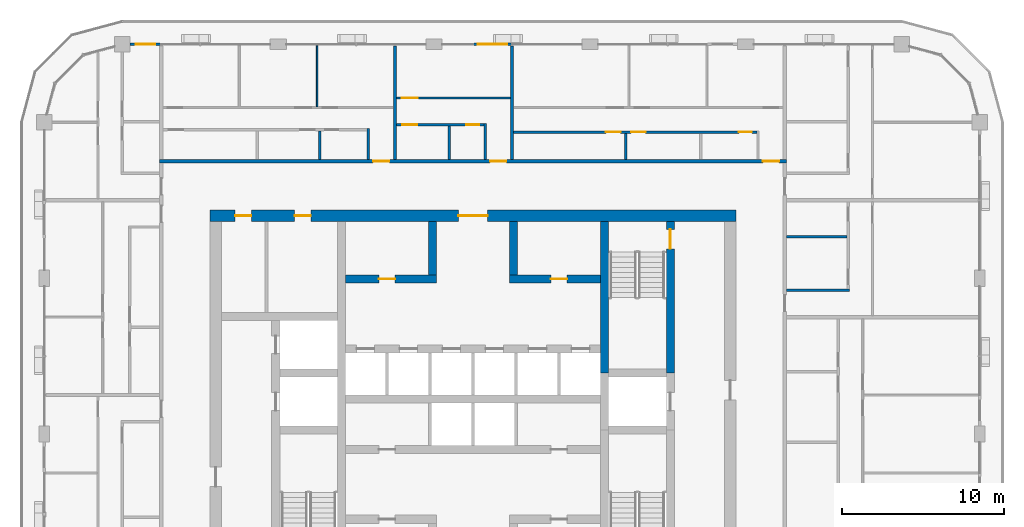
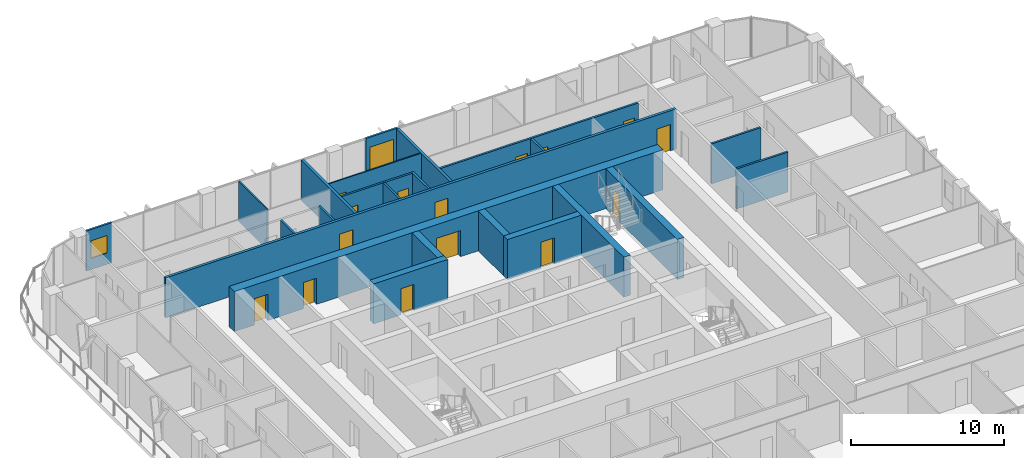
# One storey, part 14 of 21: 23 walls, 16 doors, 1 window, 17 openings.
"""IFC4 building model written with IfcOpenShell, lengths in metres."""

import ifcopenshell
import ifcopenshell.guid

model = None  # the IFC model being written
_history = None  # IfcOwnerHistory: only IFC2X3 demands one
_inside = {}  # id of a spatial element -> (the spatial element, [elements in it])
_under = {}  # id of a project, library or spatial element -> (it, [spatial elements below it])
_declared = {}  # id of a project -> (the project, [libraries it declares])
_typed = {}  # id of a type object -> (the type object, [elements of that type])
_made_of = {}  # id of a material, layer set ... -> (it, [elements and type objects made of it])


def new_model(schema):
    """Start an empty IFC model of exactly this schema.

    Asked for "IFC4X3", IfcOpenShell would pick the latest addendum, in which some entities
    have other attributes; the version numbers below select the first issue.
    IFC2X3 requires an IfcOwnerHistory on every rooted entity: one is made here for all.
    """
    global model, _history
    if schema == "IFC4X3":
        model = ifcopenshell.file(schema_version=(4, 3, 0, 0))
    else:
        model = ifcopenshell.file(schema=schema)
    _inside.clear()
    _under.clear()
    _declared.clear()
    _typed.clear()
    _made_of.clear()
    _history = None
    if model.schema == "IFC2X3":
        org = make("IfcOrganization", Name="unknown")
        user = make(
            "IfcPersonAndOrganization",
            ThePerson=make("IfcPerson", FamilyName="unknown"),
            TheOrganization=org,
        )
        app = make(
            "IfcApplication",
            ApplicationDeveloper=org,
            Version="unknown",
            ApplicationFullName="unknown",
            ApplicationIdentifier="unknown",
        )
        _history = make(
            "IfcOwnerHistory",
            OwningUser=user,
            OwningApplication=app,
            ChangeAction="ADDED",
            CreationDate=0,
        )
    return model


def make(cls, **values):
    """One entity of the class cls with the attributes given. An attribute that is None is left unset."""
    return model.create_entity(
        cls, **{name: value for name, value in values.items() if value is not None}
    )


def rooted(cls, **values):
    """An entity with a GlobalId (a new one), such as an element, a storey or a relation."""
    return make(cls, GlobalId=ifcopenshell.guid.new(), OwnerHistory=_history, **values)


def si_unit(unit_type, name, prefix=None):
    """IfcSIUnit, for example si_unit("LENGTHUNIT", "METRE", prefix="MILLI")."""
    return make("IfcSIUnit", UnitType=unit_type, Prefix=prefix, Name=name)


def assignment(units):
    """IfcUnitAssignment: the units of a project."""
    return None if units is None else make("IfcUnitAssignment", Units=units)


def point(xyz):
    """IfcCartesianPoint."""
    return None if xyz is None else make("IfcCartesianPoint", Coordinates=xyz)


def direction(xyz):
    """IfcDirection."""
    return None if xyz is None else make("IfcDirection", DirectionRatios=xyz)


def frame(location, z_axis=None, x_axis=None):
    """IfcAxis2Placement3D, a coordinate frame: its origin and axes. An axis left out is left unset."""
    return make(
        "IfcAxis2Placement3D",
        Location=point(location),
        Axis=direction(z_axis),
        RefDirection=direction(x_axis),
    )


def frame_2d(location, x_axis=None):
    """IfcAxis2Placement2D, a coordinate frame in the plane: its origin and x axis."""
    return make(
        "IfcAxis2Placement2D", Location=point(location), RefDirection=direction(x_axis)
    )


def origin():
    """The frame at (0, 0, 0) with its axes left unset."""
    return frame((0.0, 0.0, 0.0))


def place(relative_to, where):
    """IfcLocalPlacement: puts the frame where relative to a parent placement (None: the world)."""
    return make(
        "IfcLocalPlacement", PlacementRelTo=relative_to, RelativePlacement=where
    )


def context(
    kind, dimensions, precision=None, world=None, true_north=None, identifier=None
):
    """IfcGeometricRepresentationContext, for example the 3D "Model" context."""
    return make(
        "IfcGeometricRepresentationContext",
        ContextIdentifier=identifier,
        ContextType=kind,
        CoordinateSpaceDimension=dimensions,
        Precision=precision,
        WorldCoordinateSystem=world,
        TrueNorth=true_north,
    )


def subcontext(parent, identifier, kind, view, scale=None):
    """IfcGeometricRepresentationSubContext, for example "Body" below "Model"."""
    return make(
        "IfcGeometricRepresentationSubContext",
        ContextIdentifier=identifier,
        ContextType=kind,
        ParentContext=parent,
        TargetScale=scale,
        TargetView=view,
    )


def project(units=None, contexts=None):
    """IfcProject with its units and contexts."""
    return rooted(
        "IfcProject",
        Name="project",
        RepresentationContexts=contexts,
        UnitsInContext=assignment(units),
    )


def spatial(cls, under=None, at=None, **own):
    """A site, building, storey or space (cls), placed at a placement, below another one or the project."""
    s = rooted(cls, ObjectPlacement=at, **own)
    if under is not None:
        _under.setdefault(under.id(), (under, []))[1].append(s)
    return s


def profile(cls, at=None, kind="AREA", **sizes):
    """A parametric profile (cls). Its sizes go by their IFC names, for example OverallWidth=200.0."""
    return make(cls, ProfileType=kind, Position=at, **sizes)


def rectangle(**sizes):
    """IfcRectangleProfileDef."""
    return profile("IfcRectangleProfileDef", **sizes)


def extrude(swept, where, along, depth):
    """IfcExtrudedAreaSolid: the profile swept, set in the frame where, extruded along a direction by depth."""
    return make(
        "IfcExtrudedAreaSolid",
        SweptArea=swept,
        Position=where,
        ExtrudedDirection=direction(along),
        Depth=depth,
    )


def shape(context_of_items, identifier, shape_type, items):
    """IfcShapeRepresentation: the items that make up one representation, for example the "Body"."""
    return make(
        "IfcShapeRepresentation",
        ContextOfItems=context_of_items,
        RepresentationIdentifier=identifier,
        RepresentationType=shape_type,
        Items=items,
    )


def material(Name=None, Category=None):
    """IfcMaterial."""
    return make("IfcMaterial", Name=Name, Category=Category)


def layer(
    of_material, thickness, ventilated=None, Name=None, Category=None, Priority=None
):
    """IfcMaterialLayer: one layer of a wall or slab, of a material (None: an air gap)."""
    return make(
        "IfcMaterialLayer",
        Material=of_material,
        LayerThickness=thickness,
        IsVentilated=ventilated,
        Name=Name,
        Category=Category,
        Priority=Priority,
    )


def layer_set(layers, Name=None):
    """IfcMaterialLayerSet."""
    return make("IfcMaterialLayerSet", MaterialLayers=layers, LayerSetName=Name)


def made_of(thing, what):
    """Note that an element or type object is made of a material, layer set ...; save() writes the relation."""
    if what is not None:
        _made_of.setdefault(what.id(), (what, []))[1].append(thing)
    return thing


def type_object(cls, material=None, **own):
    """A type object (cls), such as IfcWallType, which elements share."""
    return made_of(rooted(cls, **own), material)


def element(
    cls,
    number,
    at=None,
    inside=None,
    cuts=None,
    type_object=None,
    material=None,
    context=None,
    identifier="Body",
    shape_type=None,
    held_by="IfcProductDefinitionShape",
    body=None,
    shapes=None,
    **own,
):
    """One element of the class cls, such as IfcWall. Its Tag is "e" and its number.

    at: its placement. inside: the storey or other place that contains it. cuts: it is an
    opening in that element (IfcRelVoidsElement). A single representation is given by context,
    identifier, shape_type and body (its items); several are given by shapes. held_by: the class
    of the entity that holds the representations. save() writes the other relations.
    """
    e = rooted(cls, Tag="e%d" % number, ObjectPlacement=at, **own)
    if body is not None:
        shapes = [shape(context, identifier, shape_type, body)]
    if shapes is not None:
        e.Representation = make(held_by, Representations=shapes)
    if inside is not None:
        _inside.setdefault(inside.id(), (inside, []))[1].append(e)
    if cuts is not None:
        rooted(
            "IfcRelVoidsElement", RelatingBuildingElement=cuts, RelatedOpeningElement=e
        )
    if type_object is not None:
        _typed.setdefault(type_object.id(), (type_object, []))[1].append(e)
    return made_of(e, material)


def fill(opening, filler):
    """IfcRelFillsElement: the door or window that sits in an opening."""
    return rooted(
        "IfcRelFillsElement",
        RelatingOpeningElement=opening,
        RelatedBuildingElement=filler,
    )


def aggregate(whole, parts):
    """IfcRelAggregates: a whole, such as a stair, and the parts it consists of."""
    return rooted("IfcRelAggregates", RelatingObject=whole, RelatedObjects=parts)


def save(model, path):
    """Write the relations noted so far, then the file.

    IfcRelAggregates (storeys below a building ...), IfcRelContainedInSpatialStructure (elements
    in a storey), IfcRelDefinesByType, IfcRelAssociatesMaterial and IfcRelDeclares: one each for
    every whole, place, type object, material and project.
    """
    for whole, parts in _under.values():
        aggregate(whole, parts)
    for where, things in _inside.values():
        rooted(
            "IfcRelContainedInSpatialStructure",
            RelatedElements=things,
            RelatingStructure=where,
        )
    for kind, things in _typed.values():
        rooted("IfcRelDefinesByType", RelatedObjects=things, RelatingType=kind)
    for what, things in _made_of.values():
        rooted("IfcRelAssociatesMaterial", RelatedObjects=things, RelatingMaterial=what)
    for by, libraries in _declared.values():
        rooted("IfcRelDeclares", RelatingContext=by, RelatedDefinitions=libraries)
    model.write(path)


model = new_model("IFC4")

# Units and contexts
model_context = context("Model", 3, precision=1e-05, world=origin(), true_north=direction((0.0, 1.0)))
body_context = subcontext(model_context, "Body", "Model", "MODEL_VIEW")
ifc_project = project(units=[si_unit("LENGTHUNIT", "METRE"), si_unit("AREAUNIT", "SQUARE_METRE"), si_unit("VOLUMEUNIT", "CUBIC_METRE"), si_unit("PLANEANGLEUNIT", "RADIAN"), si_unit("MASSUNIT", "GRAM", prefix="KILO")], contexts=[model_context])

# Site, building, storey
site_placement = place(None, origin())
site = spatial("IfcSite", under=ifc_project, at=site_placement, CompositionType="ELEMENT")
building_placement = place(site_placement, origin())
building = spatial("IfcBuilding", under=site, at=building_placement, Name="Madar Terraces", CompositionType="ELEMENT")
storey_placement = place(building_placement, frame((0.0, 0.0, 185.89990234375)))
storey = spatial("IfcBuildingStorey", under=building, at=storey_placement, Name="L48", CompositionType="ELEMENT", Elevation=185.89990234375)

# Wall
ifc_material_1 = material(Name="Concrete C60/75", Category="concrete")
ifc_layer_1 = layer(ifc_material_1, 0.5)
ifc_layer_set_1 = layer_set([ifc_layer_1], Name="Concrete C60/75 (CIW4 RC wall 500)")
wall_type_1 = type_object("IfcWallType", Name="CIW4 RC wall 500", PredefinedType="SHEAR", material=ifc_layer_set_1)
wall_1_placement = place(storey_placement, frame((39.300048828125, 27.75, 0.0), z_axis=(0.0, 0.0, 1.0), x_axis=(0.0, 1.0, 0.0)))
element("IfcWall", 1, at=wall_1_placement, inside=storey, type_object=wall_type_1, Name="CORE SHAFT WALL", PredefinedType="SHEAR", context=body_context, shape_type="SweptSolid", body=[
    extrude(rectangle(XDim=9.35009765625, YDim=0.5, at=frame_2d((4.675048828125, 0.0))), origin(), (0.0, 0.0, 1.0), 3.2001953125),
])

# Wall, opening, door
wall_2_placement = place(storey_placement, frame((43.35009765625, 27.75, 0.0), z_axis=(0.0, 0.0, 1.0), x_axis=(0.0, 1.0, 0.0)))
wall_2 = element("IfcWall", 2, at=wall_2_placement, inside=storey, type_object=wall_type_1, Name="CORE SHAFT WALL", PredefinedType="SHEAR", context=body_context, shape_type="SweptSolid", body=[
    extrude(rectangle(XDim=9.35009765625, YDim=0.5, at=frame_2d((4.675048828125, 0.0))), origin(), (0.0, 0.0, 1.0), 3.2001953125),
])
opening_1_placement = place(wall_2_placement, frame((7.64990234375, 0.0, 0.0)))
opening_1 = element("IfcOpeningElement", 3, at=opening_1_placement, cuts=wall_2, Name="Opening SD1", PredefinedType="OPENING", context=body_context, shape_type="SweptSolid", body=[
    extrude(rectangle(XDim=1.199951171875, YDim=2.10009765625, at=frame_2d((0.60009765625, 1.050048828125))), frame((0.0, 0.260009765625, 0.0), z_axis=(0.0, -1.0, 0.0), x_axis=(1.0, 0.0, 0.0)), (0.0, 0.0, 1.0), 0.52001953125),
])
ifc_material_2 = material(Name="Steel door leaf", Category="steel")
door_type_1 = type_object("IfcDoorType", Name="Stair door 1200 x 2100", OperationType="NOTDEFINED", PredefinedType="DOOR", material=ifc_material_2)
door_1_placement = place(opening_1_placement, origin())
door_1 = element("IfcDoor", 4, at=door_1_placement, inside=storey, type_object=door_type_1, Name="STAIR DOOR", OperationType="SINGLE_SWING_RIGHT", OverallHeight=2.10009765625, OverallWidth=1.199951171875, PredefinedType="DOOR", context=body_context, shape_type="SweptSolid", body=[
    extrude(rectangle(XDim=1.199951171875, YDim=2.10009765625, at=frame_2d((0.60009765625, 1.050048828125))), frame((0.0, 0.02490234375, 0.0), z_axis=(0.0, -1.0, 0.0), x_axis=(1.0, 0.0, 0.0)), (0.0, 0.0, 1.0), 0.050048828125),
])
fill(opening_1, door_1)

wall_3_placement = place(storey_placement, frame((23.35009765625, 33.550048828125, 0.0), z_axis=(0.0, 0.0, 1.0), x_axis=(1.0, 0.0, 0.0)))
wall_3 = element("IfcWall", 5, at=wall_3_placement, inside=storey, type_object=wall_type_1, Name="CORE SHAFT WALL", PredefinedType="SHEAR", context=body_context, shape_type="SweptSolid", body=[
    extrude(rectangle(XDim=5.599853515625, YDim=0.5, at=frame_2d((2.7998046875, 0.0))), origin(), (0.0, 0.0, 1.0), 3.2001953125),
])
opening_2_placement = place(wall_3_placement, frame((2.050048828125, 0.0, 0.0)))
opening_2 = element("IfcOpeningElement", 6, at=opening_2_placement, cuts=wall_3, Name="Opening KD2", PredefinedType="OPENING", context=body_context, shape_type="SweptSolid", body=[
    extrude(rectangle(XDim=1.0, YDim=2.10009765625, at=frame_2d((0.5, 1.050048828125))), frame((0.0, 0.260009765625, 0.0), z_axis=(0.0, -1.0, 0.0), x_axis=(1.0, 0.0, 0.0)), (0.0, 0.0, 1.0), 0.52001953125),
])
ifc_material_3 = material(Name="Steel door leaf", Category="steel")
door_type_2 = type_object("IfcDoorType", Name="Service room door 1000 x 2100", OperationType="NOTDEFINED", PredefinedType="DOOR", material=ifc_material_3)
door_2_placement = place(opening_2_placement, frame((1.0, 0.0, 0.0), z_axis=(0.0, 0.0, 1.0), x_axis=(-1.0, 0.0, 0.0)))
door_2 = element("IfcDoor", 7, at=door_2_placement, inside=storey, type_object=door_type_2, Name="SERVICE ROOM DOOR", OperationType="SINGLE_SWING_LEFT", OverallHeight=2.10009765625, OverallWidth=1.0, PredefinedType="DOOR", context=body_context, shape_type="SweptSolid", body=[
    extrude(rectangle(XDim=1.0, YDim=2.10009765625, at=frame_2d((0.5, 1.050048828125))), frame((0.0, 0.02490234375, 0.0), z_axis=(0.0, -1.0, 0.0), x_axis=(1.0, 0.0, 0.0)), (0.0, 0.0, 1.0), 0.050048828125),
])
fill(opening_2, door_2)

wall_4_placement = place(storey_placement, frame((33.449951171875, 33.550048828125, 0.0), z_axis=(0.0, 0.0, 1.0), x_axis=(1.0, 0.0, 0.0)))
wall_4 = element("IfcWall", 8, at=wall_4_placement, inside=storey, type_object=wall_type_1, Name="CORE SHAFT WALL", PredefinedType="SHEAR", context=body_context, shape_type="SweptSolid", body=[
    extrude(rectangle(XDim=5.60009765625, YDim=0.5, at=frame_2d((2.800048828125, 0.0))), origin(), (0.0, 0.0, 1.0), 3.2001953125),
])
opening_3_placement = place(wall_4_placement, frame((2.550048828125, 0.0, 0.0)))
opening_3 = element("IfcOpeningElement", 9, at=opening_3_placement, cuts=wall_4, Name="Opening KD2", PredefinedType="OPENING", context=body_context, shape_type="SweptSolid", body=[
    extrude(rectangle(XDim=1.0, YDim=2.10009765625, at=frame_2d((0.5, 1.050048828125))), frame((0.0, 0.260009765625, 0.0), z_axis=(0.0, -1.0, 0.0), x_axis=(1.0, 0.0, 0.0)), (0.0, 0.0, 1.0), 0.52001953125),
])
door_3_placement = place(opening_3_placement, frame((1.0, 0.0, 0.0), z_axis=(0.0, 0.0, 1.0), x_axis=(-1.0, 0.0, 0.0)))
door_3 = element("IfcDoor", 10, at=door_3_placement, inside=storey, type_object=door_type_2, Name="SERVICE ROOM DOOR", OperationType="SINGLE_SWING_RIGHT", OverallHeight=2.10009765625, OverallWidth=1.0, PredefinedType="DOOR", context=body_context, shape_type="SweptSolid", body=[
    extrude(rectangle(XDim=1.0, YDim=2.10009765625, at=frame_2d((0.5, 1.050048828125))), frame((0.0, 0.02490234375, 0.0), z_axis=(0.0, -1.0, 0.0), x_axis=(1.0, 0.0, 0.0)), (0.0, 0.0, 1.0), 0.050048828125),
])
fill(opening_3, door_3)

# Walls
for number, where, z_axis, x_axis, name in (
    (11, (28.699951171875, 33.800048828125, 0.0), (0.0, 0.0, 1.0), (0.0, 1.0, 0.0), "CORE SHAFT WALL"),
    (12, (33.699951171875, 33.800048828125, 0.0), (0.0, 0.0, 1.0), (0.0, 1.0, 0.0), "CORE SHAFT WALL"),
):
    element("IfcWall", number, at=place(storey_placement, frame(where, z_axis=z_axis, x_axis=x_axis)), inside=storey, type_object=wall_type_1, Name=name, PredefinedType="SHEAR", context=body_context, shape_type="SweptSolid", body=[
        extrude(rectangle(XDim=3.300048828125, YDim=0.5, at=frame_2d((1.64990234375, 0.0))), origin(), (0.0, 0.0, 1.0), 3.2001953125),
    ])

# Wall, openings, doors
ifc_material_4 = material(Name="Concrete C60/75", Category="concrete")
ifc_layer_2 = layer(ifc_material_4, 0.699951171875)
ifc_layer_set_2 = layer_set([ifc_layer_2], Name="Concrete C60/75 (CRW4 RC wall 700)")
wall_type_2 = type_object("IfcWallType", Name="CRW4 RC wall 700", PredefinedType="SHEAR", material=ifc_layer_set_2)
wall_5_placement = place(storey_placement, frame((15.0, 37.449951171875, 0.0), z_axis=(0.0, 0.0, 1.0), x_axis=(1.0, 0.0, 0.0)))
wall_5 = element("IfcWall", 13, at=wall_5_placement, inside=storey, type_object=wall_type_2, Name="CORE OUTER WALL", PredefinedType="SHEAR", context=body_context, shape_type="SweptSolid", body=[
    extrude(rectangle(XDim=32.39990234375, YDim=0.699951171875, at=frame_2d((16.199951171875, 0.0))), origin(), (0.0, 0.0, 1.0), 3.2001953125),
])
opening_4_placement = place(wall_5_placement, frame((15.300048828125, 0.0, 0.0)))
opening_4 = element("IfcOpeningElement", 14, at=opening_4_placement, cuts=wall_5, Name="Opening KD1", PredefinedType="OPENING", context=body_context, shape_type="SweptSolid", body=[
    extrude(rectangle(XDim=1.800048828125, YDim=2.10009765625, at=frame_2d((0.89990234375, 1.050048828125))), frame((0.0, 0.35986328125, 0.0), z_axis=(0.0, -1.0, 0.0), x_axis=(1.0, 0.0, 0.0)), (0.0, 0.0, 1.0), 0.719970703125),
])
opening_5_placement = place(wall_5_placement, frame((1.544189453125, 0.0, 0.0)))
opening_5 = element("IfcOpeningElement", 15, at=opening_5_placement, cuts=wall_5, Name="Opening KD2", PredefinedType="OPENING", context=body_context, shape_type="SweptSolid", body=[
    extrude(rectangle(XDim=1.0, YDim=2.10009765625, at=frame_2d((0.5, 1.050048828125))), frame((0.0, 0.35986328125, 0.0), z_axis=(0.0, -1.0, 0.0), x_axis=(1.0, 0.0, 0.0)), (0.0, 0.0, 1.0), 0.719970703125),
])
opening_6_placement = place(wall_5_placement, frame((5.21923828125, 0.0, 0.0)))
opening_6 = element("IfcOpeningElement", 16, at=opening_6_placement, cuts=wall_5, Name="Opening KD2", PredefinedType="OPENING", context=body_context, shape_type="SweptSolid", body=[
    extrude(rectangle(XDim=1.0, YDim=2.10009765625, at=frame_2d((0.5, 1.050048828125))), frame((0.0, 0.35986328125, 0.0), z_axis=(0.0, -1.0, 0.0), x_axis=(1.0, 0.0, 0.0)), (0.0, 0.0, 1.0), 0.719970703125),
])
ifc_material_5 = material(Name="Steel door leaf", Category="steel")
door_type_3 = type_object("IfcDoorType", Name="Lobby door pair 1800 x 2100", OperationType="DOUBLE_DOOR_SINGLE_SWING", PredefinedType="DOOR", material=ifc_material_5)
door_4_placement = place(opening_4_placement, origin())
door_4 = element("IfcDoor", 17, at=door_4_placement, inside=storey, type_object=door_type_3, Name="LIFT LOBBY DOOR", OperationType="DOUBLE_DOOR_SINGLE_SWING", OverallHeight=2.10009765625, OverallWidth=1.800048828125, PredefinedType="DOOR", context=body_context, shape_type="SweptSolid", body=[
    extrude(rectangle(XDim=1.800048828125, YDim=2.10009765625, at=frame_2d((0.89990234375, 1.050048828125))), frame((0.0, 0.02490234375, 0.0), z_axis=(0.0, -1.0, 0.0), x_axis=(1.0, 0.0, 0.0)), (0.0, 0.0, 1.0), 0.050048828125),
])
fill(opening_4, door_4)
door_5_placement = place(opening_5_placement, origin())
door_5 = element("IfcDoor", 18, at=door_5_placement, inside=storey, type_object=door_type_2, Name="SERVICE ROOM DOOR", OperationType="SINGLE_SWING_LEFT", OverallHeight=2.10009765625, OverallWidth=1.0, PredefinedType="DOOR", context=body_context, shape_type="SweptSolid", body=[
    extrude(rectangle(XDim=1.0, YDim=2.10009765625, at=frame_2d((0.5, 1.050048828125))), frame((0.0, 0.02490234375, 0.0), z_axis=(0.0, -1.0, 0.0), x_axis=(1.0, 0.0, 0.0)), (0.0, 0.0, 1.0), 0.050048828125),
])
fill(opening_5, door_5)
door_6_placement = place(opening_6_placement, origin())
door_6 = element("IfcDoor", 19, at=door_6_placement, inside=storey, type_object=door_type_2, Name="SERVICE ROOM DOOR", OperationType="SINGLE_SWING_RIGHT", OverallHeight=2.10009765625, OverallWidth=1.0, PredefinedType="DOOR", context=body_context, shape_type="SweptSolid", body=[
    extrude(rectangle(XDim=1.0, YDim=2.10009765625, at=frame_2d((0.5, 1.050048828125))), frame((0.0, 0.02490234375, 0.0), z_axis=(0.0, -1.0, 0.0), x_axis=(1.0, 0.0, 0.0)), (0.0, 0.0, 1.0), 0.050048828125),
])
fill(opening_6, door_6)

# Wall, opening, door
ifc_material_6 = material(Name="Aluminium composite panel, black, over insulated backing", Category="aluminium")
ifc_layer_3 = layer(ifc_material_6, 0.14990234375)
ifc_layer_set_3 = layer_set([ifc_layer_3], Name="Facade bay panel 150")
wall_type_3 = type_object("IfcWallType", Name="Facade bay panel 150", PredefinedType="SOLIDWALL", material=ifc_layer_set_3)
wall_6_placement = place(storey_placement, frame((33.60009765625, 48.0, 0.0), z_axis=(0.0, 0.0, 1.0), x_axis=(-1.0, 0.0, 0.0)))
wall_6 = element("IfcWall", 20, at=wall_6_placement, inside=storey, type_object=wall_type_3, Name="Facade bay panel", PredefinedType="SOLIDWALL", context=body_context, shape_type="SweptSolid", body=[
    extrude(rectangle(XDim=2.400146484375, YDim=0.14990234375, at=frame_2d((1.2001953125, 0.0))), origin(), (0.0, 0.0, 1.0), 3.2001953125),
])
opening_7_placement = place(wall_6_placement, frame((0.300048828125, 0.0, 0.0)))
opening_7 = element("IfcOpeningElement", 21, at=opening_7_placement, cuts=wall_6, Name="Opening ED1", PredefinedType="OPENING", context=body_context, shape_type="SweptSolid", body=[
    extrude(rectangle(XDim=1.800048828125, YDim=2.39990234375, at=frame_2d((0.89990234375, 1.199951171875))), frame((0.0, 0.0849609375, 0.0), z_axis=(0.0, -1.0, 0.0), x_axis=(1.0, 0.0, 0.0)), (0.0, 0.0, 1.0), 0.169921875),
])
ifc_material_7 = material(Name="Glass, clear, with black aluminium frame", Category="aluminium")
door_type_4 = type_object("IfcDoorType", Name="Balcony and terrace sliding door 1800 x 2400", OperationType="SLIDING_TO_LEFT", PredefinedType="DOOR", material=ifc_material_7)
door_7_placement = place(opening_7_placement, origin())
door_7 = element("IfcDoor", 22, at=door_7_placement, inside=storey, type_object=door_type_4, Name="Balcony door", OperationType="SLIDING_TO_LEFT", OverallHeight=2.39990234375, OverallWidth=1.800048828125, PredefinedType="DOOR", context=body_context, shape_type="SweptSolid", body=[
    extrude(rectangle(XDim=1.800048828125, YDim=2.39990234375, at=frame_2d((0.89990234375, 1.199951171875))), frame((0.0, 0.02490234375, 0.0), z_axis=(0.0, -1.0, 0.0), x_axis=(1.0, 0.0, 0.0)), (0.0, 0.0, 1.0), 0.050048828125),
])
fill(opening_7, door_7)

# Wall, opening, window
wall_7_placement = place(storey_placement, frame((12.0, 48.0, 0.0), z_axis=(0.0, 0.0, 1.0), x_axis=(-1.0, 0.0, 0.0)))
wall_7 = element("IfcWall", 23, at=wall_7_placement, inside=storey, type_object=wall_type_3, Name="Facade bay panel", PredefinedType="SOLIDWALL", context=body_context, shape_type="SweptSolid", body=[
    extrude(rectangle(XDim=1.925048828125, YDim=0.14990234375, at=frame_2d((0.96240234375, 0.0))), origin(), (0.0, 0.0, 1.0), 3.2001953125),
])
opening_8_placement = place(wall_7_placement, frame((0.362548828125, 0.0, 0.89990234375)))
opening_8 = element("IfcOpeningElement", 24, at=opening_8_placement, cuts=wall_7, Name="Opening W1", PredefinedType="OPENING", context=body_context, shape_type="SweptSolid", body=[
    extrude(rectangle(XDim=1.199951171875, YDim=1.39990234375, at=frame_2d((0.60009765625, 0.699951171875))), frame((0.0, 0.0849609375, 0.0), z_axis=(0.0, -1.0, 0.0), x_axis=(1.0, 0.0, 0.0)), (0.0, 0.0, 1.0), 0.169921875),
])
ifc_material_8 = material(Name="Glass, clear, with black aluminium frame", Category="aluminium")
window_type = type_object("IfcWindowType", Name="Vent window 1200 x 1400", PartitioningType="SINGLE_PANEL", PredefinedType="WINDOW", material=ifc_material_8)
window_placement = place(opening_8_placement, origin())
window = element("IfcWindow", 25, at=window_placement, inside=storey, type_object=window_type, Name="Operable vent window", OverallHeight=1.39990234375, OverallWidth=1.199951171875, PartitioningType="SINGLE_PANEL", PredefinedType="WINDOW", context=body_context, shape_type="SweptSolid", body=[
    extrude(rectangle(XDim=1.199951171875, YDim=1.39990234375, at=frame_2d((0.60009765625, 0.699951171875))), frame((0.0, 0.030029296875, 0.0), z_axis=(0.0, -1.0, 0.0), x_axis=(1.0, 0.0, 0.0)), (0.0, 0.0, 1.0), 0.06005859375),
])
fill(opening_8, window)

# Wall, opening, door
ifc_material_9 = material(Name="Gypsum board on steel studs", Category="steel")
ifc_layer_4 = layer(ifc_material_9, 0.10009765625)
ifc_layer_set_4 = layer_set([ifc_layer_4], Name="Flat partition 100")
wall_type_4 = type_object("IfcWallType", Name="Flat partition 100", PredefinedType="PARTITIONING", material=ifc_layer_set_4)
wall_8_placement = place(storey_placement, frame((26.5, 44.699951171875, 0.0), z_axis=(0.0, 0.0, 1.0), x_axis=(1.0, 0.0, 0.0)))
wall_8 = element("IfcWall", 26, at=wall_8_placement, inside=storey, type_object=wall_type_4, Name="Flat partition 100", PredefinedType="PARTITIONING", context=body_context, shape_type="SweptSolid", body=[
    extrude(rectangle(XDim=7.0, YDim=0.10009765625, at=frame_2d((3.5, 0.0))), origin(), (0.0, 0.0, 1.0), 3.2001953125),
])
opening_9_placement = place(wall_8_placement, frame((0.300048828125, 0.0, 0.0)))
opening_9 = element("IfcOpeningElement", 27, at=opening_9_placement, cuts=wall_8, Name="Opening D3", PredefinedType="OPENING", context=body_context, shape_type="SweptSolid", body=[
    extrude(rectangle(XDim=1.0, YDim=2.10009765625, at=frame_2d((0.5, 1.050048828125))), frame((0.0, 0.06005859375, 0.0), z_axis=(0.0, -1.0, 0.0), x_axis=(1.0, 0.0, 0.0)), (0.0, 0.0, 1.0), 0.1201171875),
])
ifc_material_10 = material(Name="Timber door leaf", Category="wood")
door_type_5 = type_object("IfcDoorType", Name="Flat living room door 1000", OperationType="NOTDEFINED", PredefinedType="DOOR", material=ifc_material_10)
door_8_placement = place(opening_9_placement, origin())
door_8 = element("IfcDoor", 28, at=door_8_placement, inside=storey, type_object=door_type_5, Name="Flat living room door 1000", OperationType="SINGLE_SWING_LEFT", OverallHeight=2.10009765625, OverallWidth=1.0, PredefinedType="DOOR", context=body_context, shape_type="SweptSolid", body=[
    extrude(rectangle(XDim=1.0, YDim=2.10009765625, at=frame_2d((0.5, 1.050048828125))), frame((0.0, 0.02490234375, 0.0), z_axis=(0.0, -1.0, 0.0), x_axis=(1.0, 0.0, 0.0)), (0.0, 0.0, 1.0), 0.050048828125),
])
fill(opening_9, door_8)

# Wall
wall_9_placement = place(storey_placement, frame((21.60009765625, 44.14990234375, 0.0), z_axis=(0.0, 0.0, 1.0), x_axis=(0.0, 1.0, 0.0)))
element("IfcWall", 29, at=wall_9_placement, inside=storey, type_object=wall_type_4, Name="Flat partition 100", PredefinedType="PARTITIONING", context=body_context, shape_type="SweptSolid", body=[
    extrude(rectangle(XDim=3.75, YDim=0.10009765625, at=frame_2d((1.875, 0.0))), origin(), (0.0, 0.0, 1.0), 3.2001953125),
])

# Wall, openings, doors
ifc_material_11 = material(Name="Lightweight blockwork", Category="masonry")
ifc_layer_5 = layer(ifc_material_11, 0.199951171875)
ifc_layer_set_5 = layer_set([ifc_layer_5], Name="Flat party and entrance wall 200")
wall_type_5 = type_object("IfcWallType", Name="Flat party and entrance wall 200", PredefinedType="PARTITIONING", material=ifc_layer_set_5)
wall_10_placement = place(storey_placement, frame((11.89990234375, 40.800048828125, 0.0), z_axis=(0.0, 0.0, 1.0), x_axis=(1.0, 0.0, 0.0)))
wall_10 = element("IfcWall", 30, at=wall_10_placement, inside=storey, type_object=wall_type_5, Name="Flat party and entrance wall 200", PredefinedType="PARTITIONING", context=body_context, shape_type="SweptSolid", body=[
    extrude(rectangle(XDim=38.60009765625, YDim=0.199951171875, at=frame_2d((19.300048828125, 0.0))), origin(), (0.0, 0.0, 1.0), 3.2001953125),
])
opening_10_placement = place(wall_10_placement, frame((37.14990234375, 0.0, 0.0)))
opening_10 = element("IfcOpeningElement", 31, at=opening_10_placement, cuts=wall_10, Name="Opening D1", PredefinedType="OPENING", context=body_context, shape_type="SweptSolid", body=[
    extrude(rectangle(XDim=1.0, YDim=2.10009765625, at=frame_2d((0.5, 1.050048828125))), frame((0.0, 0.10986328125, 0.0), z_axis=(0.0, -1.0, 0.0), x_axis=(1.0, 0.0, 0.0)), (0.0, 0.0, 1.0), 0.219970703125),
])
opening_11_placement = place(wall_10_placement, frame((20.35009765625, 0.0, 0.0)))
opening_11 = element("IfcOpeningElement", 32, at=opening_11_placement, cuts=wall_10, Name="Opening D1", PredefinedType="OPENING", context=body_context, shape_type="SweptSolid", body=[
    extrude(rectangle(XDim=1.0, YDim=2.10009765625, at=frame_2d((0.5, 1.050048828125))), frame((0.0, 0.10986328125, 0.0), z_axis=(0.0, -1.0, 0.0), x_axis=(1.0, 0.0, 0.0)), (0.0, 0.0, 1.0), 0.219970703125),
])
opening_12_placement = place(wall_10_placement, frame((13.14990234375, 0.0, 0.0)))
opening_12 = element("IfcOpeningElement", 33, at=opening_12_placement, cuts=wall_10, Name="Opening D1", PredefinedType="OPENING", context=body_context, shape_type="SweptSolid", body=[
    extrude(rectangle(XDim=1.0, YDim=2.10009765625, at=frame_2d((0.5, 1.050048828125))), frame((0.0, 0.10986328125, 0.0), z_axis=(0.0, -1.0, 0.0), x_axis=(1.0, 0.0, 0.0)), (0.0, 0.0, 1.0), 0.219970703125),
])
ifc_material_12 = material(Name="Timber fire door leaf", Category="wood")
door_type_6 = type_object("IfcDoorType", Name="Flat entrance door 1000 FD30S", OperationType="NOTDEFINED", PredefinedType="DOOR", material=ifc_material_12)
door_9_placement = place(opening_10_placement, origin())
door_9 = element("IfcDoor", 34, at=door_9_placement, inside=storey, type_object=door_type_6, Name="Flat entrance door 1000 FD30S", OperationType="SINGLE_SWING_RIGHT", OverallHeight=2.10009765625, OverallWidth=1.0, PredefinedType="DOOR", context=body_context, shape_type="SweptSolid", body=[
    extrude(rectangle(XDim=1.0, YDim=2.10009765625, at=frame_2d((0.5, 1.050048828125))), frame((0.0, 0.02490234375, 0.0), z_axis=(0.0, -1.0, 0.0), x_axis=(1.0, 0.0, 0.0)), (0.0, 0.0, 1.0), 0.050048828125),
])
fill(opening_10, door_9)
door_10_placement = place(opening_11_placement, origin())
door_10 = element("IfcDoor", 35, at=door_10_placement, inside=storey, type_object=door_type_6, Name="Flat entrance door 1000 FD30S", OperationType="SINGLE_SWING_RIGHT", OverallHeight=2.10009765625, OverallWidth=1.0, PredefinedType="DOOR", context=body_context, shape_type="SweptSolid", body=[
    extrude(rectangle(XDim=1.0, YDim=2.10009765625, at=frame_2d((0.5, 1.050048828125))), frame((0.0, 0.02490234375, 0.0), z_axis=(0.0, -1.0, 0.0), x_axis=(1.0, 0.0, 0.0)), (0.0, 0.0, 1.0), 0.050048828125),
])
fill(opening_11, door_10)
door_11_placement = place(opening_12_placement, origin())
door_11 = element("IfcDoor", 36, at=door_11_placement, inside=storey, type_object=door_type_6, Name="Flat entrance door 1000 FD30S", OperationType="SINGLE_SWING_RIGHT", OverallHeight=2.10009765625, OverallWidth=1.0, PredefinedType="DOOR", context=body_context, shape_type="SweptSolid", body=[
    extrude(rectangle(XDim=1.0, YDim=2.10009765625, at=frame_2d((0.5, 1.050048828125))), frame((0.0, 0.02490234375, 0.0), z_axis=(0.0, -1.0, 0.0), x_axis=(1.0, 0.0, 0.0)), (0.0, 0.0, 1.0), 0.050048828125),
])
fill(opening_12, door_11)

# Walls
for number, where, z_axis, x_axis, name in (
    (37, (33.60009765625, 47.89990234375, 0.0), (0.0, 0.0, 1.0), (0.0, -1.0, 0.0), "Flat party and entrance wall 200"),
    (38, (26.39990234375, 47.89990234375, 0.0), (0.0, 0.0, 1.0), (0.0, -1.0, 0.0), "Flat party and entrance wall 200"),
):
    element("IfcWall", number, at=place(storey_placement, frame(where, z_axis=z_axis, x_axis=x_axis)), inside=storey, type_object=wall_type_5, Name=name, PredefinedType="PARTITIONING", context=body_context, shape_type="SweptSolid", body=[
        extrude(rectangle(XDim=7.0, YDim=0.199951171875, at=frame_2d((3.5, 0.0))), origin(), (0.0, 0.0, 1.0), 3.2001953125),
    ])
ifc_material_13 = material(Name="Lightweight blockwork", Category="masonry")
ifc_layer_6 = layer(ifc_material_13, 0.14990234375)
ifc_layer_set_6 = layer_set([ifc_layer_6], Name="Flat wet-room partition 150")
wall_type_6 = type_object("IfcWallType", Name="Flat wet-room partition 150", PredefinedType="PARTITIONING", material=ifc_layer_set_6)
wall_11_placement = place(storey_placement, frame((50.5, 36.14990234375, 0.0), z_axis=(0.0, 0.0, 1.0), x_axis=(1.0, 0.0, 0.0)))
element("IfcWall", 39, at=wall_11_placement, inside=storey, type_object=wall_type_6, Name="Flat wet-room partition 150", PredefinedType="PARTITIONING", context=body_context, shape_type="SweptSolid", body=[
    extrude(rectangle(XDim=3.72509765625, YDim=0.14990234375, at=frame_2d((1.862548828125, 0.0))), origin(), (0.0, 0.0, 1.0), 3.2001953125),
])
wall_12_placement = place(storey_placement, frame((50.5, 32.85009765625, 0.0), z_axis=(0.0, 0.0, 1.0), x_axis=(1.0, 0.0, 0.0)))
element("IfcWall", 40, at=wall_12_placement, inside=storey, type_object=wall_type_6, Name="Flat wet-room partition 150", PredefinedType="PARTITIONING", context=body_context, shape_type="SweptSolid", body=[
    extrude(rectangle(XDim=3.875, YDim=0.14990234375, at=frame_2d((1.9375, 0.0))), origin(), (0.0, 0.0, 1.0), 3.2001953125),
])
wall_13_placement = place(storey_placement, frame((40.611572265625, 40.89990234375, 0.0), z_axis=(0.0, 0.0, 1.0), x_axis=(0.0, 1.0, 0.0)))
element("IfcWall", 41, at=wall_13_placement, inside=storey, type_object=wall_type_6, Name="Flat wet-room partition 150", PredefinedType="PARTITIONING", context=body_context, shape_type="SweptSolid", body=[
    extrude(rectangle(XDim=1.625, YDim=0.14990234375, at=frame_2d((0.8125, 0.0))), origin(), (0.0, 0.0, 1.0), 3.2001953125),
])

# Wall, openings, doors
wall_14_placement = place(storey_placement, frame((48.675048828125, 42.60009765625, 0.0), z_axis=(0.0, 0.0, 1.0), x_axis=(-1.0, 0.0, 0.0)))
wall_14 = element("IfcWall", 42, at=wall_14_placement, inside=storey, type_object=wall_type_6, Name="Flat wet-room partition 150", PredefinedType="PARTITIONING", context=body_context, shape_type="SweptSolid", body=[
    extrude(rectangle(XDim=14.97509765625, YDim=0.14990234375, at=frame_2d((7.487548828125, 0.0))), origin(), (0.0, 0.0, 1.0), 3.2001953125),
])
opening_13_placement = place(wall_14_placement, frame((0.300048828125, 0.0, 0.0)))
opening_13 = element("IfcOpeningElement", 43, at=opening_13_placement, cuts=wall_14, Name="Opening D4", PredefinedType="OPENING", context=body_context, shape_type="SweptSolid", body=[
    extrude(rectangle(XDim=0.800048828125, YDim=2.10009765625, at=frame_2d((0.39990234375, 1.050048828125))), frame((0.0, 0.0849609375, 0.0), z_axis=(0.0, -1.0, 0.0), x_axis=(1.0, 0.0, 0.0)), (0.0, 0.0, 1.0), 0.169921875),
])
opening_14_placement = place(wall_14_placement, frame((6.83837890625, 0.0, 0.0)))
opening_14 = element("IfcOpeningElement", 44, at=opening_14_placement, cuts=wall_14, Name="Opening D5", PredefinedType="OPENING", context=body_context, shape_type="SweptSolid", body=[
    extrude(rectangle(XDim=0.89990234375, YDim=2.10009765625, at=frame_2d((0.449951171875, 1.050048828125))), frame((0.0, 0.0849609375, 0.0), z_axis=(0.0, -1.0, 0.0), x_axis=(1.0, 0.0, 0.0)), (0.0, 0.0, 1.0), 0.169921875),
])
opening_15_placement = place(wall_14_placement, frame((8.388427734375, 0.0, 0.0)))
opening_15 = element("IfcOpeningElement", 45, at=opening_15_placement, cuts=wall_14, Name="Opening D2", PredefinedType="OPENING", context=body_context, shape_type="SweptSolid", body=[
    extrude(rectangle(XDim=0.89990234375, YDim=2.10009765625, at=frame_2d((0.449951171875, 1.050048828125))), frame((0.0, 0.0849609375, 0.0), z_axis=(0.0, -1.0, 0.0), x_axis=(1.0, 0.0, 0.0)), (0.0, 0.0, 1.0), 0.169921875),
])
ifc_material_14 = material(Name="Timber door leaf", Category="wood")
door_type_7 = type_object("IfcDoorType", Name="Flat accessible bathroom door 900", OperationType="NOTDEFINED", PredefinedType="DOOR", material=ifc_material_14)
door_12_placement = place(opening_14_placement, origin())
door_12 = element("IfcDoor", 46, at=door_12_placement, inside=storey, type_object=door_type_7, Name="Flat accessible bathroom door 900", OperationType="SINGLE_SWING_RIGHT", OverallHeight=2.10009765625, OverallWidth=0.89990234375, PredefinedType="DOOR", context=body_context, shape_type="SweptSolid", body=[
    extrude(rectangle(XDim=0.89990234375, YDim=2.10009765625, at=frame_2d((0.449951171875, 1.050048828125))), frame((0.0, 0.02490234375, 0.0), z_axis=(0.0, -1.0, 0.0), x_axis=(1.0, 0.0, 0.0)), (0.0, 0.0, 1.0), 0.050048828125),
])
fill(opening_14, door_12)
ifc_material_15 = material(Name="Timber door leaf", Category="wood")
door_type_8 = type_object("IfcDoorType", Name="Flat bathroom door 800", OperationType="NOTDEFINED", PredefinedType="DOOR", material=ifc_material_15)
door_13_placement = place(opening_13_placement, origin())
door_13 = element("IfcDoor", 47, at=door_13_placement, inside=storey, type_object=door_type_8, Name="Flat bathroom door 800", OperationType="SINGLE_SWING_LEFT", OverallHeight=2.10009765625, OverallWidth=0.800048828125, PredefinedType="DOOR", context=body_context, shape_type="SweptSolid", body=[
    extrude(rectangle(XDim=0.800048828125, YDim=2.10009765625, at=frame_2d((0.39990234375, 1.050048828125))), frame((0.0, 0.02490234375, 0.0), z_axis=(0.0, -1.0, 0.0), x_axis=(1.0, 0.0, 0.0)), (0.0, 0.0, 1.0), 0.050048828125),
])
fill(opening_13, door_13)
ifc_material_16 = material(Name="Timber door leaf", Category="wood")
door_type_9 = type_object("IfcDoorType", Name="Flat room door 900", OperationType="NOTDEFINED", PredefinedType="DOOR", material=ifc_material_16)
door_14_placement = place(opening_15_placement, origin())
door_14 = element("IfcDoor", 48, at=door_14_placement, inside=storey, type_object=door_type_9, Name="Flat room door 900", OperationType="SINGLE_SWING_LEFT", OverallHeight=2.10009765625, OverallWidth=0.89990234375, PredefinedType="DOOR", context=body_context, shape_type="SweptSolid", body=[
    extrude(rectangle(XDim=0.89990234375, YDim=2.10009765625, at=frame_2d((0.449951171875, 1.050048828125))), frame((0.0, 0.02490234375, 0.0), z_axis=(0.0, -1.0, 0.0), x_axis=(1.0, 0.0, 0.0)), (0.0, 0.0, 1.0), 0.050048828125),
])
fill(opening_15, door_14)

# Walls
wall_15_placement = place(storey_placement, frame((29.72509765625, 40.89990234375, 0.0), z_axis=(0.0, 0.0, 1.0), x_axis=(0.0, 1.0, 0.0)))
element("IfcWall", 49, at=wall_15_placement, inside=storey, type_object=wall_type_6, Name="Flat wet-room partition 150", PredefinedType="PARTITIONING", context=body_context, shape_type="SweptSolid", body=[
    extrude(rectangle(XDim=2.0751953125, YDim=0.14990234375, at=frame_2d((1.03759765625, 0.0))), origin(), (0.0, 0.0, 1.0), 3.2001953125),
])
wall_16_placement = place(storey_placement, frame((31.949951171875, 40.89990234375, 0.0), z_axis=(0.0, 0.0, 1.0), x_axis=(0.0, 1.0, 0.0)))
element("IfcWall", 50, at=wall_16_placement, inside=storey, type_object=wall_type_6, Name="Flat wet-room partition 150", PredefinedType="PARTITIONING", context=body_context, shape_type="SweptSolid", body=[
    extrude(rectangle(XDim=2.22509765625, YDim=0.14990234375, at=frame_2d((1.112548828125, 0.0))), origin(), (0.0, 0.0, 1.0), 3.2001953125),
])

# Wall, openings, doors
wall_17_placement = place(storey_placement, frame((31.875, 43.050048828125, 0.0), z_axis=(0.0, 0.0, 1.0), x_axis=(-1.0, 0.0, 0.0)))
wall_17 = element("IfcWall", 51, at=wall_17_placement, inside=storey, type_object=wall_type_6, Name="Flat wet-room partition 150", PredefinedType="PARTITIONING", context=body_context, shape_type="SweptSolid", body=[
    extrude(rectangle(XDim=5.375, YDim=0.14990234375, at=frame_2d((2.6875, 0.0))), origin(), (0.0, 0.0, 1.0), 3.2001953125),
])
opening_16_placement = place(wall_17_placement, frame((0.300048828125, 0.0, 0.0)))
opening_16 = element("IfcOpeningElement", 52, at=opening_16_placement, cuts=wall_17, Name="Opening D4", PredefinedType="OPENING", context=body_context, shape_type="SweptSolid", body=[
    extrude(rectangle(XDim=0.800048828125, YDim=2.10009765625, at=frame_2d((0.39990234375, 1.050048828125))), frame((0.0, 0.0849609375, 0.0), z_axis=(0.0, -1.0, 0.0), x_axis=(1.0, 0.0, 0.0)), (0.0, 0.0, 1.0), 0.169921875),
])
opening_17_placement = place(wall_17_placement, frame((4.125, 0.0, 0.0)))
opening_17 = element("IfcOpeningElement", 53, at=opening_17_placement, cuts=wall_17, Name="Opening D2", PredefinedType="OPENING", context=body_context, shape_type="SweptSolid", body=[
    extrude(rectangle(XDim=0.89990234375, YDim=2.10009765625, at=frame_2d((0.449951171875, 1.050048828125))), frame((0.0, 0.0849609375, 0.0), z_axis=(0.0, -1.0, 0.0), x_axis=(1.0, 0.0, 0.0)), (0.0, 0.0, 1.0), 0.169921875),
])
door_15_placement = place(opening_16_placement, origin())
door_15 = element("IfcDoor", 54, at=door_15_placement, inside=storey, type_object=door_type_8, Name="Flat bathroom door 800", OperationType="SINGLE_SWING_LEFT", OverallHeight=2.10009765625, OverallWidth=0.800048828125, PredefinedType="DOOR", context=body_context, shape_type="SweptSolid", body=[
    extrude(rectangle(XDim=0.800048828125, YDim=2.10009765625, at=frame_2d((0.39990234375, 1.050048828125))), frame((0.0, 0.02490234375, 0.0), z_axis=(0.0, -1.0, 0.0), x_axis=(1.0, 0.0, 0.0)), (0.0, 0.0, 1.0), 0.050048828125),
])
fill(opening_16, door_15)
door_16_placement = place(opening_17_placement, origin())
door_16 = element("IfcDoor", 55, at=door_16_placement, inside=storey, type_object=door_type_9, Name="Flat room door 900", OperationType="SINGLE_SWING_RIGHT", OverallHeight=2.10009765625, OverallWidth=0.89990234375, PredefinedType="DOOR", context=body_context, shape_type="SweptSolid", body=[
    extrude(rectangle(XDim=0.89990234375, YDim=2.10009765625, at=frame_2d((0.449951171875, 1.050048828125))), frame((0.0, 0.02490234375, 0.0), z_axis=(0.0, -1.0, 0.0), x_axis=(1.0, 0.0, 0.0)), (0.0, 0.0, 1.0), 0.050048828125),
])
fill(opening_17, door_16)

# Walls
wall_18_placement = place(storey_placement, frame((21.773193359375, 40.89990234375, 0.0), z_axis=(0.0, 0.0, 1.0), x_axis=(0.0, 1.0, 0.0)))
element("IfcWall", 56, at=wall_18_placement, inside=storey, type_object=wall_type_6, Name="Flat wet-room partition 150", PredefinedType="PARTITIONING", context=body_context, shape_type="SweptSolid", body=[
    extrude(rectangle(XDim=1.775146484375, YDim=0.14990234375, at=frame_2d((0.8876953125, 0.0))), origin(), (0.0, 0.0, 1.0), 3.2001953125),
])
wall_19_placement = place(storey_placement, frame((24.75, 40.89990234375, 0.0), z_axis=(0.0, 0.0, 1.0), x_axis=(0.0, 1.0, 0.0)))
element("IfcWall", 57, at=wall_19_placement, inside=storey, type_object=wall_type_6, Name="Flat wet-room partition 150", PredefinedType="PARTITIONING", context=body_context, shape_type="SweptSolid", body=[
    extrude(rectangle(XDim=1.925048828125, YDim=0.14990234375, at=frame_2d((0.96240234375, 0.0))), origin(), (0.0, 0.0, 1.0), 3.2001953125),
])

save(model, "model.ifc")
